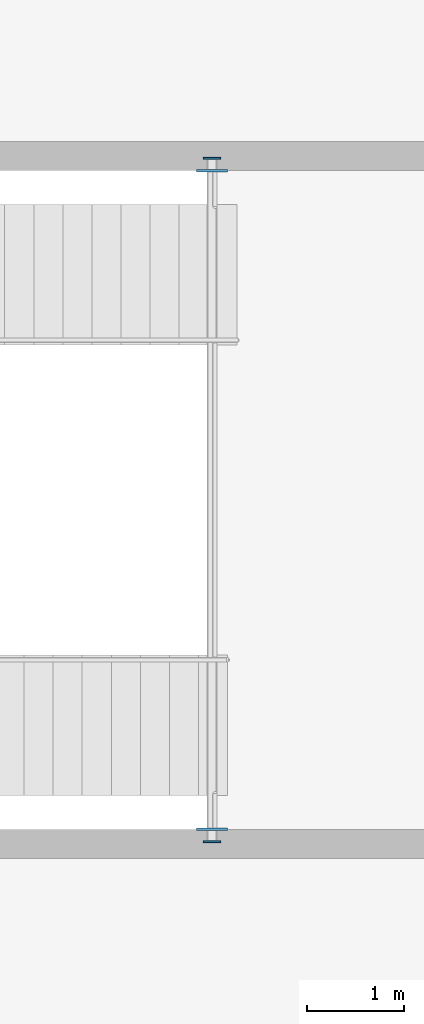
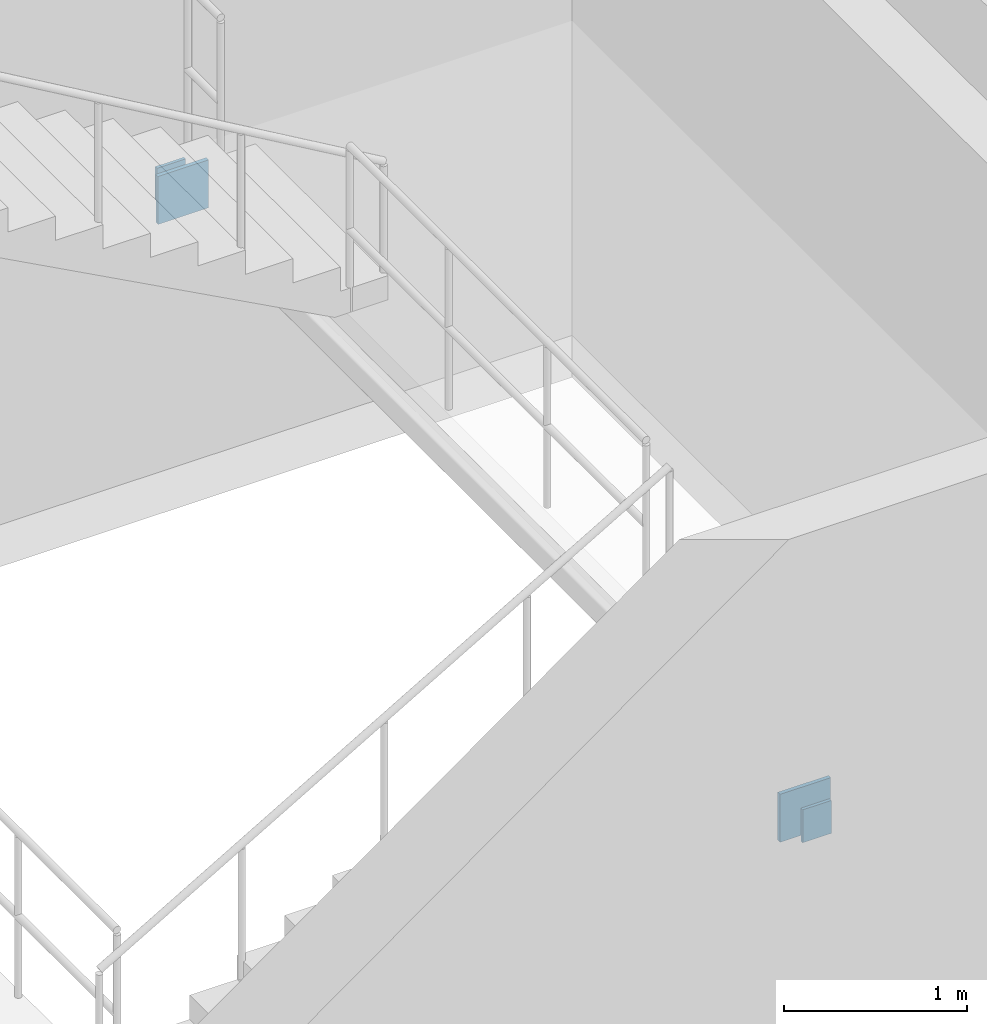
# One storey, part 13 of 35: 4 plates.
"""IFC4 building model written with IfcOpenShell, lengths in metres."""

from ifc_helpers import new_model, si_unit, direction, frame, origin, origin_2d, place, context, subcontext, project, spatial, rectangle, extrude, material, layer, layer_set, type_object, element, save


model = new_model("IFC4")

# Units and contexts
model_context = context("Model", 3, precision=1e-05, world=origin(), true_north=direction((0.0, 1.0)))
body_context = subcontext(model_context, "Body", "Model", "MODEL_VIEW")
ifc_project = project(units=[si_unit("LENGTHUNIT", "METRE"), si_unit("AREAUNIT", "SQUARE_METRE"), si_unit("VOLUMEUNIT", "CUBIC_METRE"), si_unit("PLANEANGLEUNIT", "RADIAN"), si_unit("MASSUNIT", "GRAM", prefix="KILO"), si_unit("THERMODYNAMICTEMPERATUREUNIT", "KELVIN"), si_unit("POWERUNIT", "WATT")], contexts=[model_context])

# Site, building, storey
site_placement = place(None, origin())
site = spatial("IfcSite", under=ifc_project, at=site_placement, CompositionType="ELEMENT")
building_placement = place(site_placement, origin())
building = spatial("IfcBuilding", under=site, at=building_placement, Name="Solvatero Civic Police Headquarters", CompositionType="ELEMENT")
storey_placement = place(building_placement, frame((0.0, 0.0, -4.199951171875)))
storey = spatial("IfcBuildingStorey", under=building, at=storey_placement, Name="B01", CompositionType="ELEMENT", Elevation=-4.199951171875)

# Plates
ifc_material = material(Name="Steel S355", Category="steel")
ifc_layer_1 = layer(ifc_material, 0.02001953125)
ifc_layer_set_1 = layer_set([ifc_layer_1], Name="Steel S355")
plate_type_1 = type_object("IfcPlateType", Name="PLT-CAP-20", PredefinedType="SHEET", material=ifc_layer_set_1)
for number, where, z_axis, x_axis, name in (
    (1, (118.739990234375, 8.070068359375, 1.71484375), (0.0, 0.0, 1.0), (1.0, 0.0, 0.0), "Hollow Section Cap Plate 0067"),
    (2, (118.739990234375, 15.1298828125, 1.71484375), (0.0, 0.0, 1.0), (1.0, 0.0, 0.0), "Hollow Section Cap Plate 0068"),
):
    element("IfcPlate", number, at=place(storey_placement, frame(where, z_axis=z_axis, x_axis=x_axis)), inside=storey, type_object=plate_type_1, Name=name, PredefinedType="SHEET", context=body_context, shape_type="SweptSolid", body=[
        extrude(rectangle(XDim=0.179931640625, YDim=0.02001953125, at=origin_2d()), origin(), (0.0, 0.0, 1.0), 0.219970703125),
    ])
ifc_layer_2 = layer(ifc_material, 0.02490234375)
ifc_layer_set_2 = layer_set([ifc_layer_2], Name="Steel S355")
plate_type_2 = type_object("IfcPlateType", Name="PLT-EMB-25", PredefinedType="SHEET", material=ifc_layer_set_2)
for number, where, z_axis, x_axis, name in (
    (3, (118.739990234375, 8.199951171875, 1.6650390625), (0.0, 0.0, 1.0), (1.0, 0.0, 0.0), "Cast-In Shear Wall Embed Plate 0067"),
    (4, (118.739990234375, 15.0, 1.6650390625), (0.0, 0.0, 1.0), (1.0, 0.0, 0.0), "Cast-In Shear Wall Embed Plate 0068"),
):
    element("IfcPlate", number, at=place(storey_placement, frame(where, z_axis=z_axis, x_axis=x_axis)), inside=storey, type_object=plate_type_2, Name=name, PredefinedType="SHEET", context=body_context, shape_type="SweptSolid", body=[
        extrude(rectangle(XDim=0.320068359375, YDim=0.02490234375, at=origin_2d()), origin(), (0.0, 0.0, 1.0), 0.320068359375),
    ])

save(model, "model.ifc")
